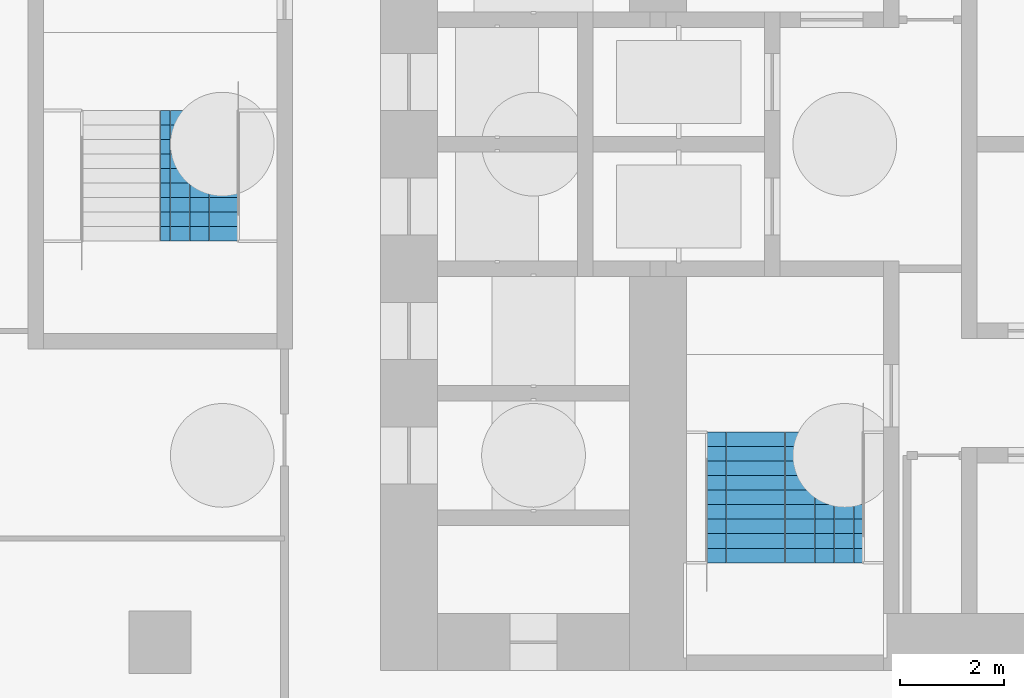
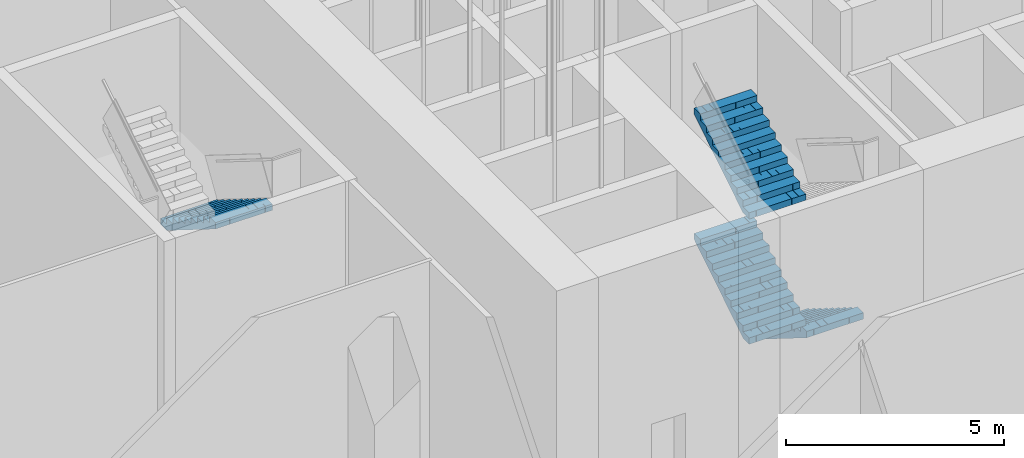
# One storey, part 22 of 68: 4 stair flights, 2 elements without a shape of their own.
"""IFC4 building model written with IfcOpenShell, lengths in metres."""

from ifc_helpers import new_model, si_unit, direction, frame, origin, place, context, subcontext, project, spatial, polyline, outline, extrude, material, type_object, element, aggregate, save


model = new_model("IFC4")

# Units and contexts
model_context = context("Model", 3, precision=1e-05, world=origin(), true_north=direction((0.0, 1.0)))
body_context = subcontext(model_context, "Body", "Model", "MODEL_VIEW")
ifc_project = project(units=[si_unit("LENGTHUNIT", "METRE"), si_unit("AREAUNIT", "SQUARE_METRE"), si_unit("VOLUMEUNIT", "CUBIC_METRE"), si_unit("PLANEANGLEUNIT", "RADIAN"), si_unit("MASSUNIT", "GRAM", prefix="KILO")], contexts=[model_context])

# Site, building, storey
site_placement = place(None, origin())
site = spatial("IfcSite", under=ifc_project, at=site_placement, CompositionType="ELEMENT")
building_placement = place(site_placement, origin())
building = spatial("IfcBuilding", under=site, at=building_placement, Name="Kolab Exchange Tower", CompositionType="ELEMENT")
storey_placement = place(building_placement, origin())
storey = spatial("IfcBuildingStorey", under=building, at=storey_placement, Name="L00", CompositionType="ELEMENT", Elevation=0.0)

# Stair, stair flights
ifc_material = material(Name="Concrete C50/60", Category="concrete")
stair_type_1 = type_object("IfcStairType", Name="STAIR ST3 RISER 175", PredefinedType="DOUBLE_RETURN_STAIR", material=ifc_material)
stair_1_placement = place(storey_placement, origin())
stair_1 = element("IfcStair", 1, at=stair_1_placement, inside=storey, type_object=stair_type_1, Name="Stair 3", PredefinedType="DOUBLE_RETURN_STAIR")
stair_flight_type = type_object("IfcStairFlightType", Name="STAIR FLIGHT 1500 RISER 175", PredefinedType="STRAIGHT", material=ifc_material)
stair_flight_1_placement = place(storey_placement, frame((-6.389892578125, -5.550048828125, 0.0), z_axis=(0.0, 0.0, 1.0), x_axis=(0.0, -1.0, 0.0)))
stair_flight_1 = element("IfcStairFlight", 2, at=stair_flight_1_placement, type_object=stair_flight_type, Name="ST3 flight 1", NumberOfRisers=10, NumberOfTreads=9, PredefinedType="STRAIGHT", RiserHeight=0.175, TreadLength=0.28, context=body_context, shape_type="SweptSolid", body=[
    extrude(outline(polyline([(0.0, 0.0), (0.0, 0.175048828125), (0.280029296875, 0.175048828125), (0.280029296875, 0.35009765625), (0.56005859375, 0.35009765625), (0.56005859375, 0.52490234375), (0.840087890625, 0.52490234375), (0.840087890625, 0.699951171875), (1.1201171875, 0.699951171875), (1.1201171875, 0.875), (1.39990234375, 0.875), (1.39990234375, 1.050048828125), (1.679931640625, 1.050048828125), (1.679931640625, 1.22509765625), (1.9599609375, 1.22509765625), (1.9599609375, 1.39990234375), (2.239990234375, 1.39990234375), (2.239990234375, 1.574951171875), (2.52001953125, 1.574951171875), (2.52001953125, 1.75), (2.52001953125, 1.398193359375), (0.28271484375, 0.0), (0.0, 0.0)])), frame((0.0, 0.75, 0.0), z_axis=(0.0, -1.0, 0.0), x_axis=(1.0, 0.0, 0.0)), (0.0, 0.0, 1.0), 0.185791015625),
    extrude(outline(polyline([(0.0, 0.0), (0.0, 0.175048828125), (0.280029296875, 0.175048828125), (0.280029296875, 0.35009765625), (0.56005859375, 0.35009765625), (0.56005859375, 0.52490234375), (0.840087890625, 0.52490234375), (0.840087890625, 0.699951171875), (1.1201171875, 0.699951171875), (1.1201171875, 0.875), (1.39990234375, 0.875), (1.39990234375, 1.050048828125), (1.679931640625, 1.050048828125), (1.679931640625, 1.22509765625), (1.9599609375, 1.22509765625), (1.9599609375, 1.39990234375), (2.239990234375, 1.39990234375), (2.239990234375, 1.574951171875), (2.52001953125, 1.574951171875), (2.52001953125, 1.75), (2.52001953125, 1.398193359375), (0.28271484375, 0.0), (0.0, 0.0)])), frame((0.0, 0.562255859375, 0.0), z_axis=(0.0, -1.0, 0.0), x_axis=(1.0, 0.0, 0.0)), (0.0, 0.0, 1.0), 0.185791015625),
    extrude(outline(polyline([(0.0, 0.0), (0.0, 0.175048828125), (0.280029296875, 0.175048828125), (0.280029296875, 0.35009765625), (0.56005859375, 0.35009765625), (0.56005859375, 0.52490234375), (0.840087890625, 0.52490234375), (0.840087890625, 0.699951171875), (1.1201171875, 0.699951171875), (1.1201171875, 0.875), (1.39990234375, 0.875), (1.39990234375, 1.050048828125), (1.679931640625, 1.050048828125), (1.679931640625, 1.22509765625), (1.9599609375, 1.22509765625), (1.9599609375, 1.39990234375), (2.239990234375, 1.39990234375), (2.239990234375, 1.574951171875), (2.52001953125, 1.574951171875), (2.52001953125, 1.75), (2.52001953125, 1.398193359375), (0.28271484375, 0.0), (0.0, 0.0)])), frame((0.0, 0.37451171875, 0.0), z_axis=(0.0, -1.0, 0.0), x_axis=(1.0, 0.0, 0.0)), (0.0, 0.0, 1.0), 0.185791015625),
    extrude(outline(polyline([(0.0, 0.0), (0.0, 0.175048828125), (0.280029296875, 0.175048828125), (0.280029296875, 0.35009765625), (0.56005859375, 0.35009765625), (0.56005859375, 0.52490234375), (0.840087890625, 0.52490234375), (0.840087890625, 0.699951171875), (1.1201171875, 0.699951171875), (1.1201171875, 0.875), (1.39990234375, 0.875), (1.39990234375, 1.050048828125), (1.679931640625, 1.050048828125), (1.679931640625, 1.22509765625), (1.9599609375, 1.22509765625), (1.9599609375, 1.39990234375), (2.239990234375, 1.39990234375), (2.239990234375, 1.574951171875), (2.52001953125, 1.574951171875), (2.52001953125, 1.75), (2.52001953125, 1.398193359375), (0.28271484375, 0.0), (0.0, 0.0)])), frame((0.0, 0.186767578125, 0.0), z_axis=(0.0, -1.0, 0.0), x_axis=(1.0, 0.0, 0.0)), (0.0, 0.0, 1.0), 0.185791015625),
    extrude(outline(polyline([(0.0, 0.0), (0.0, 0.175048828125), (0.280029296875, 0.175048828125), (0.280029296875, 0.35009765625), (0.56005859375, 0.35009765625), (0.56005859375, 0.52490234375), (0.840087890625, 0.52490234375), (0.840087890625, 0.699951171875), (1.1201171875, 0.699951171875), (1.1201171875, 0.875), (1.39990234375, 0.875), (1.39990234375, 1.050048828125), (1.679931640625, 1.050048828125), (1.679931640625, 1.22509765625), (1.9599609375, 1.22509765625), (1.9599609375, 1.39990234375), (2.239990234375, 1.39990234375), (2.239990234375, 1.574951171875), (2.52001953125, 1.574951171875), (2.52001953125, 1.75), (2.52001953125, 1.398193359375), (0.28271484375, 0.0), (0.0, 0.0)])), frame((0.0, -0.0009765625, 0.0), z_axis=(0.0, -1.0, 0.0), x_axis=(1.0, 0.0, 0.0)), (0.0, 0.0, 1.0), 0.185791015625),
    extrude(outline(polyline([(0.0, 0.0), (0.0, 0.175048828125), (0.280029296875, 0.175048828125), (0.280029296875, 0.35009765625), (0.56005859375, 0.35009765625), (0.56005859375, 0.52490234375), (0.840087890625, 0.52490234375), (0.840087890625, 0.699951171875), (1.1201171875, 0.699951171875), (1.1201171875, 0.875), (1.39990234375, 0.875), (1.39990234375, 1.050048828125), (1.679931640625, 1.050048828125), (1.679931640625, 1.22509765625), (1.9599609375, 1.22509765625), (1.9599609375, 1.39990234375), (2.239990234375, 1.39990234375), (2.239990234375, 1.574951171875), (2.52001953125, 1.574951171875), (2.52001953125, 1.75), (2.52001953125, 1.398193359375), (0.28271484375, 0.0), (0.0, 0.0)])), frame((0.0, -0.188720703125, 0.0), z_axis=(0.0, -1.0, 0.0), x_axis=(1.0, 0.0, 0.0)), (0.0, 0.0, 1.0), 0.185791015625),
    extrude(outline(polyline([(0.0, 0.0), (0.0, 0.175048828125), (0.280029296875, 0.175048828125), (0.280029296875, 0.35009765625), (0.56005859375, 0.35009765625), (0.56005859375, 0.52490234375), (0.840087890625, 0.52490234375), (0.840087890625, 0.699951171875), (1.1201171875, 0.699951171875), (1.1201171875, 0.875), (1.39990234375, 0.875), (1.39990234375, 1.050048828125), (1.679931640625, 1.050048828125), (1.679931640625, 1.22509765625), (1.9599609375, 1.22509765625), (1.9599609375, 1.39990234375), (2.239990234375, 1.39990234375), (2.239990234375, 1.574951171875), (2.52001953125, 1.574951171875), (2.52001953125, 1.75), (2.52001953125, 1.398193359375), (0.28271484375, 0.0), (0.0, 0.0)])), frame((0.0, -0.37646484375, 0.0), z_axis=(0.0, -1.0, 0.0), x_axis=(1.0, 0.0, 0.0)), (0.0, 0.0, 1.0), 0.185791015625),
    extrude(outline(polyline([(0.0, 0.0), (0.0, 0.175048828125), (0.280029296875, 0.175048828125), (0.280029296875, 0.35009765625), (0.56005859375, 0.35009765625), (0.56005859375, 0.52490234375), (0.840087890625, 0.52490234375), (0.840087890625, 0.699951171875), (1.1201171875, 0.699951171875), (1.1201171875, 0.875), (1.39990234375, 0.875), (1.39990234375, 1.050048828125), (1.679931640625, 1.050048828125), (1.679931640625, 1.22509765625), (1.9599609375, 1.22509765625), (1.9599609375, 1.39990234375), (2.239990234375, 1.39990234375), (2.239990234375, 1.574951171875), (2.52001953125, 1.574951171875), (2.52001953125, 1.75), (2.52001953125, 1.398193359375), (0.28271484375, 0.0), (0.0, 0.0)])), frame((0.0, -0.564208984375, 0.0), z_axis=(0.0, -1.0, 0.0), x_axis=(1.0, 0.0, 0.0)), (0.0, 0.0, 1.0), 0.185791015625),
])
stair_flight_2_placement = place(storey_placement, frame((-7.909912109375, -8.070068359375, 1.75), z_axis=(0.0, 0.0, 1.0), x_axis=(0.0, 1.0, 0.0)))
stair_flight_2 = element("IfcStairFlight", 3, at=stair_flight_2_placement, type_object=stair_flight_type, Name="ST3 flight 2", NumberOfRisers=10, NumberOfTreads=9, PredefinedType="STRAIGHT", RiserHeight=0.175, TreadLength=0.28, context=body_context, shape_type="SweptSolid", body=[
    extrude(outline(polyline([(0.0, 0.0), (0.0, 0.175048828125), (0.280029296875, 0.175048828125), (0.280029296875, 0.35009765625), (0.56005859375, 0.35009765625), (0.56005859375, 0.52490234375), (0.840087890625, 0.52490234375), (0.840087890625, 0.699951171875), (1.1201171875, 0.699951171875), (1.1201171875, 0.875), (1.39990234375, 0.875), (1.39990234375, 1.050048828125), (1.679931640625, 1.050048828125), (1.679931640625, 1.22509765625), (1.9599609375, 1.22509765625), (1.9599609375, 1.39990234375), (2.239990234375, 1.39990234375), (2.239990234375, 1.574951171875), (2.52001953125, 1.574951171875), (2.52001953125, 1.75), (2.52001953125, 1.398193359375), (0.28271484375, 0.0), (0.0, 0.0)])), frame((0.0, 0.75, 0.0), z_axis=(0.0, -1.0, 0.0), x_axis=(1.0, 0.0, 0.0)), (0.0, 0.0, 1.0), 0.185791015625),
    extrude(outline(polyline([(0.0, 0.0), (0.0, 0.175048828125), (0.280029296875, 0.175048828125), (0.280029296875, 0.35009765625), (0.56005859375, 0.35009765625), (0.56005859375, 0.52490234375), (0.840087890625, 0.52490234375), (0.840087890625, 0.699951171875), (1.1201171875, 0.699951171875), (1.1201171875, 0.875), (1.39990234375, 0.875), (1.39990234375, 1.050048828125), (1.679931640625, 1.050048828125), (1.679931640625, 1.22509765625), (1.9599609375, 1.22509765625), (1.9599609375, 1.39990234375), (2.239990234375, 1.39990234375), (2.239990234375, 1.574951171875), (2.52001953125, 1.574951171875), (2.52001953125, 1.75), (2.52001953125, 1.398193359375), (0.28271484375, 0.0), (0.0, 0.0)])), frame((0.0, 0.562255859375, 0.0), z_axis=(0.0, -1.0, 0.0), x_axis=(1.0, 0.0, 0.0)), (0.0, 0.0, 1.0), 0.185791015625),
    extrude(outline(polyline([(0.0, 0.0), (0.0, 0.175048828125), (0.280029296875, 0.175048828125), (0.280029296875, 0.35009765625), (0.56005859375, 0.35009765625), (0.56005859375, 0.52490234375), (0.840087890625, 0.52490234375), (0.840087890625, 0.699951171875), (1.1201171875, 0.699951171875), (1.1201171875, 0.875), (1.39990234375, 0.875), (1.39990234375, 1.050048828125), (1.679931640625, 1.050048828125), (1.679931640625, 1.22509765625), (1.9599609375, 1.22509765625), (1.9599609375, 1.39990234375), (2.239990234375, 1.39990234375), (2.239990234375, 1.574951171875), (2.52001953125, 1.574951171875), (2.52001953125, 1.75), (2.52001953125, 1.398193359375), (0.28271484375, 0.0), (0.0, 0.0)])), frame((0.0, 0.37451171875, 0.0), z_axis=(0.0, -1.0, 0.0), x_axis=(1.0, 0.0, 0.0)), (0.0, 0.0, 1.0), 0.185791015625),
    extrude(outline(polyline([(0.0, 0.0), (0.0, 0.175048828125), (0.280029296875, 0.175048828125), (0.280029296875, 0.35009765625), (0.56005859375, 0.35009765625), (0.56005859375, 0.52490234375), (0.840087890625, 0.52490234375), (0.840087890625, 0.699951171875), (1.1201171875, 0.699951171875), (1.1201171875, 0.875), (1.39990234375, 0.875), (1.39990234375, 1.050048828125), (1.679931640625, 1.050048828125), (1.679931640625, 1.22509765625), (1.9599609375, 1.22509765625), (1.9599609375, 1.39990234375), (2.239990234375, 1.39990234375), (2.239990234375, 1.574951171875), (2.52001953125, 1.574951171875), (2.52001953125, 1.75), (2.52001953125, 1.398193359375), (0.28271484375, 0.0), (0.0, 0.0)])), frame((0.0, 0.186767578125, 0.0), z_axis=(0.0, -1.0, 0.0), x_axis=(1.0, 0.0, 0.0)), (0.0, 0.0, 1.0), 0.185791015625),
    extrude(outline(polyline([(0.0, 0.0), (0.0, 0.175048828125), (0.280029296875, 0.175048828125), (0.280029296875, 0.35009765625), (0.56005859375, 0.35009765625), (0.56005859375, 0.52490234375), (0.840087890625, 0.52490234375), (0.840087890625, 0.699951171875), (1.1201171875, 0.699951171875), (1.1201171875, 0.875), (1.39990234375, 0.875), (1.39990234375, 1.050048828125), (1.679931640625, 1.050048828125), (1.679931640625, 1.22509765625), (1.9599609375, 1.22509765625), (1.9599609375, 1.39990234375), (2.239990234375, 1.39990234375), (2.239990234375, 1.574951171875), (2.52001953125, 1.574951171875), (2.52001953125, 1.75), (2.52001953125, 1.398193359375), (0.28271484375, 0.0), (0.0, 0.0)])), frame((0.0, -0.0009765625, 0.0), z_axis=(0.0, -1.0, 0.0), x_axis=(1.0, 0.0, 0.0)), (0.0, 0.0, 1.0), 0.185791015625),
    extrude(outline(polyline([(0.0, 0.0), (0.0, 0.175048828125), (0.280029296875, 0.175048828125), (0.280029296875, 0.35009765625), (0.56005859375, 0.35009765625), (0.56005859375, 0.52490234375), (0.840087890625, 0.52490234375), (0.840087890625, 0.699951171875), (1.1201171875, 0.699951171875), (1.1201171875, 0.875), (1.39990234375, 0.875), (1.39990234375, 1.050048828125), (1.679931640625, 1.050048828125), (1.679931640625, 1.22509765625), (1.9599609375, 1.22509765625), (1.9599609375, 1.39990234375), (2.239990234375, 1.39990234375), (2.239990234375, 1.574951171875), (2.52001953125, 1.574951171875), (2.52001953125, 1.75), (2.52001953125, 1.398193359375), (0.28271484375, 0.0), (0.0, 0.0)])), frame((0.0, -0.188720703125, 0.0), z_axis=(0.0, -1.0, 0.0), x_axis=(1.0, 0.0, 0.0)), (0.0, 0.0, 1.0), 0.185791015625),
    extrude(outline(polyline([(0.0, 0.0), (0.0, 0.175048828125), (0.280029296875, 0.175048828125), (0.280029296875, 0.35009765625), (0.56005859375, 0.35009765625), (0.56005859375, 0.52490234375), (0.840087890625, 0.52490234375), (0.840087890625, 0.699951171875), (1.1201171875, 0.699951171875), (1.1201171875, 0.875), (1.39990234375, 0.875), (1.39990234375, 1.050048828125), (1.679931640625, 1.050048828125), (1.679931640625, 1.22509765625), (1.9599609375, 1.22509765625), (1.9599609375, 1.39990234375), (2.239990234375, 1.39990234375), (2.239990234375, 1.574951171875), (2.52001953125, 1.574951171875), (2.52001953125, 1.75), (2.52001953125, 1.398193359375), (0.28271484375, 0.0), (0.0, 0.0)])), frame((0.0, -0.37646484375, 0.0), z_axis=(0.0, -1.0, 0.0), x_axis=(1.0, 0.0, 0.0)), (0.0, 0.0, 1.0), 0.185791015625),
    extrude(outline(polyline([(0.0, 0.0), (0.0, 0.175048828125), (0.280029296875, 0.175048828125), (0.280029296875, 0.35009765625), (0.56005859375, 0.35009765625), (0.56005859375, 0.52490234375), (0.840087890625, 0.52490234375), (0.840087890625, 0.699951171875), (1.1201171875, 0.699951171875), (1.1201171875, 0.875), (1.39990234375, 0.875), (1.39990234375, 1.050048828125), (1.679931640625, 1.050048828125), (1.679931640625, 1.22509765625), (1.9599609375, 1.22509765625), (1.9599609375, 1.39990234375), (2.239990234375, 1.39990234375), (2.239990234375, 1.574951171875), (2.52001953125, 1.574951171875), (2.52001953125, 1.75), (2.52001953125, 1.398193359375), (0.28271484375, 0.0), (0.0, 0.0)])), frame((0.0, -0.564208984375, 0.0), z_axis=(0.0, -1.0, 0.0), x_axis=(1.0, 0.0, 0.0)), (0.0, 0.0, 1.0), 0.185791015625),
])
stair_flight_3_placement = place(storey_placement, frame((-7.909912109375, -8.070068359375, 5.25), z_axis=(0.0, 0.0, 1.0), x_axis=(0.0, 1.0, 0.0)))
stair_flight_3 = element("IfcStairFlight", 4, at=stair_flight_3_placement, type_object=stair_flight_type, Name="ST3 flight 4", NumberOfRisers=10, NumberOfTreads=9, PredefinedType="STRAIGHT", RiserHeight=0.175, TreadLength=0.28, context=body_context, shape_type="SweptSolid", body=[
    extrude(outline(polyline([(0.0, 0.0), (0.0, 0.175048828125), (0.280029296875, 0.175048828125), (0.280029296875, 0.35009765625), (0.56005859375, 0.35009765625), (0.56005859375, 0.52490234375), (0.840087890625, 0.52490234375), (0.840087890625, 0.699951171875), (1.1201171875, 0.699951171875), (1.1201171875, 0.875), (1.39990234375, 0.875), (1.39990234375, 1.050048828125), (1.679931640625, 1.050048828125), (1.679931640625, 1.22509765625), (1.9599609375, 1.22509765625), (1.9599609375, 1.39990234375), (2.239990234375, 1.39990234375), (2.239990234375, 1.574951171875), (2.52001953125, 1.574951171875), (2.52001953125, 1.75), (2.52001953125, 1.398193359375), (0.28271484375, 0.0), (0.0, 0.0)])), frame((0.0, 0.75, 0.0), z_axis=(0.0, -1.0, 0.0), x_axis=(1.0, 0.0, 0.0)), (0.0, 0.0, 1.0), 0.185791015625),
    extrude(outline(polyline([(0.0, 0.0), (0.0, 0.175048828125), (0.280029296875, 0.175048828125), (0.280029296875, 0.35009765625), (0.56005859375, 0.35009765625), (0.56005859375, 0.52490234375), (0.840087890625, 0.52490234375), (0.840087890625, 0.699951171875), (1.1201171875, 0.699951171875), (1.1201171875, 0.875), (1.39990234375, 0.875), (1.39990234375, 1.050048828125), (1.679931640625, 1.050048828125), (1.679931640625, 1.22509765625), (1.9599609375, 1.22509765625), (1.9599609375, 1.39990234375), (2.239990234375, 1.39990234375), (2.239990234375, 1.574951171875), (2.52001953125, 1.574951171875), (2.52001953125, 1.75), (2.52001953125, 1.398193359375), (0.28271484375, 0.0), (0.0, 0.0)])), frame((0.0, 0.562255859375, 0.0), z_axis=(0.0, -1.0, 0.0), x_axis=(1.0, 0.0, 0.0)), (0.0, 0.0, 1.0), 0.185791015625),
    extrude(outline(polyline([(0.0, 0.0), (0.0, 0.175048828125), (0.280029296875, 0.175048828125), (0.280029296875, 0.35009765625), (0.56005859375, 0.35009765625), (0.56005859375, 0.52490234375), (0.840087890625, 0.52490234375), (0.840087890625, 0.699951171875), (1.1201171875, 0.699951171875), (1.1201171875, 0.875), (1.39990234375, 0.875), (1.39990234375, 1.050048828125), (1.679931640625, 1.050048828125), (1.679931640625, 1.22509765625), (1.9599609375, 1.22509765625), (1.9599609375, 1.39990234375), (2.239990234375, 1.39990234375), (2.239990234375, 1.574951171875), (2.52001953125, 1.574951171875), (2.52001953125, 1.75), (2.52001953125, 1.398193359375), (0.28271484375, 0.0), (0.0, 0.0)])), frame((0.0, 0.37451171875, 0.0), z_axis=(0.0, -1.0, 0.0), x_axis=(1.0, 0.0, 0.0)), (0.0, 0.0, 1.0), 0.185791015625),
    extrude(outline(polyline([(0.0, 0.0), (0.0, 0.175048828125), (0.280029296875, 0.175048828125), (0.280029296875, 0.35009765625), (0.56005859375, 0.35009765625), (0.56005859375, 0.52490234375), (0.840087890625, 0.52490234375), (0.840087890625, 0.699951171875), (1.1201171875, 0.699951171875), (1.1201171875, 0.875), (1.39990234375, 0.875), (1.39990234375, 1.050048828125), (1.679931640625, 1.050048828125), (1.679931640625, 1.22509765625), (1.9599609375, 1.22509765625), (1.9599609375, 1.39990234375), (2.239990234375, 1.39990234375), (2.239990234375, 1.574951171875), (2.52001953125, 1.574951171875), (2.52001953125, 1.75), (2.52001953125, 1.398193359375), (0.28271484375, 0.0), (0.0, 0.0)])), frame((0.0, 0.186767578125, 0.0), z_axis=(0.0, -1.0, 0.0), x_axis=(1.0, 0.0, 0.0)), (0.0, 0.0, 1.0), 0.185791015625),
    extrude(outline(polyline([(0.0, 0.0), (0.0, 0.175048828125), (0.280029296875, 0.175048828125), (0.280029296875, 0.35009765625), (0.56005859375, 0.35009765625), (0.56005859375, 0.52490234375), (0.840087890625, 0.52490234375), (0.840087890625, 0.699951171875), (1.1201171875, 0.699951171875), (1.1201171875, 0.875), (1.39990234375, 0.875), (1.39990234375, 1.050048828125), (1.679931640625, 1.050048828125), (1.679931640625, 1.22509765625), (1.9599609375, 1.22509765625), (1.9599609375, 1.39990234375), (2.239990234375, 1.39990234375), (2.239990234375, 1.574951171875), (2.52001953125, 1.574951171875), (2.52001953125, 1.75), (2.52001953125, 1.398193359375), (0.28271484375, 0.0), (0.0, 0.0)])), frame((0.0, -0.0009765625, 0.0), z_axis=(0.0, -1.0, 0.0), x_axis=(1.0, 0.0, 0.0)), (0.0, 0.0, 1.0), 0.185791015625),
    extrude(outline(polyline([(0.0, 0.0), (0.0, 0.175048828125), (0.280029296875, 0.175048828125), (0.280029296875, 0.35009765625), (0.56005859375, 0.35009765625), (0.56005859375, 0.52490234375), (0.840087890625, 0.52490234375), (0.840087890625, 0.699951171875), (1.1201171875, 0.699951171875), (1.1201171875, 0.875), (1.39990234375, 0.875), (1.39990234375, 1.050048828125), (1.679931640625, 1.050048828125), (1.679931640625, 1.22509765625), (1.9599609375, 1.22509765625), (1.9599609375, 1.39990234375), (2.239990234375, 1.39990234375), (2.239990234375, 1.574951171875), (2.52001953125, 1.574951171875), (2.52001953125, 1.75), (2.52001953125, 1.398193359375), (0.28271484375, 0.0), (0.0, 0.0)])), frame((0.0, -0.188720703125, 0.0), z_axis=(0.0, -1.0, 0.0), x_axis=(1.0, 0.0, 0.0)), (0.0, 0.0, 1.0), 0.185791015625),
    extrude(outline(polyline([(0.0, 0.0), (0.0, 0.175048828125), (0.280029296875, 0.175048828125), (0.280029296875, 0.35009765625), (0.56005859375, 0.35009765625), (0.56005859375, 0.52490234375), (0.840087890625, 0.52490234375), (0.840087890625, 0.699951171875), (1.1201171875, 0.699951171875), (1.1201171875, 0.875), (1.39990234375, 0.875), (1.39990234375, 1.050048828125), (1.679931640625, 1.050048828125), (1.679931640625, 1.22509765625), (1.9599609375, 1.22509765625), (1.9599609375, 1.39990234375), (2.239990234375, 1.39990234375), (2.239990234375, 1.574951171875), (2.52001953125, 1.574951171875), (2.52001953125, 1.75), (2.52001953125, 1.398193359375), (0.28271484375, 0.0), (0.0, 0.0)])), frame((0.0, -0.37646484375, 0.0), z_axis=(0.0, -1.0, 0.0), x_axis=(1.0, 0.0, 0.0)), (0.0, 0.0, 1.0), 0.185791015625),
    extrude(outline(polyline([(0.0, 0.0), (0.0, 0.175048828125), (0.280029296875, 0.175048828125), (0.280029296875, 0.35009765625), (0.56005859375, 0.35009765625), (0.56005859375, 0.52490234375), (0.840087890625, 0.52490234375), (0.840087890625, 0.699951171875), (1.1201171875, 0.699951171875), (1.1201171875, 0.875), (1.39990234375, 0.875), (1.39990234375, 1.050048828125), (1.679931640625, 1.050048828125), (1.679931640625, 1.22509765625), (1.9599609375, 1.22509765625), (1.9599609375, 1.39990234375), (2.239990234375, 1.39990234375), (2.239990234375, 1.574951171875), (2.52001953125, 1.574951171875), (2.52001953125, 1.75), (2.52001953125, 1.398193359375), (0.28271484375, 0.0), (0.0, 0.0)])), frame((0.0, -0.564208984375, 0.0), z_axis=(0.0, -1.0, 0.0), x_axis=(1.0, 0.0, 0.0)), (0.0, 0.0, 1.0), 0.185791015625),
])
aggregate(stair_1, [stair_flight_1, stair_flight_2, stair_flight_3])

# Stair, stair flight
stair_type_2 = type_object("IfcStairType", Name="STAIR ST5 RISER 175", PredefinedType="DOUBLE_RETURN_STAIR", material=ifc_material)
stair_2_placement = place(storey_placement, origin())
stair_2 = element("IfcStair", 5, at=stair_2_placement, inside=storey, type_object=stair_type_2, Name="Stair 5", PredefinedType="DOUBLE_RETURN_STAIR")
stair_flight_4_placement = place(storey_placement, frame((-18.43994140625, 0.64990234375, 3.5), z_axis=(0.0, 0.0, 1.0), x_axis=(0.0, -1.0, 0.0)))
stair_flight_4 = element("IfcStairFlight", 6, at=stair_flight_4_placement, type_object=stair_flight_type, Name="ST5 flight 3", NumberOfRisers=10, NumberOfTreads=9, PredefinedType="STRAIGHT", RiserHeight=0.175, TreadLength=0.28, context=body_context, shape_type="SweptSolid", body=[
    extrude(outline(polyline([(0.0, 0.0), (0.0, 0.175048828125), (0.280029296875, 0.175048828125), (0.280029296875, 0.35009765625), (0.56005859375, 0.35009765625), (0.56005859375, 0.52490234375), (0.840087890625, 0.52490234375), (0.840087890625, 0.699951171875), (1.1201171875, 0.699951171875), (1.1201171875, 0.875), (1.39990234375, 0.875), (1.39990234375, 1.050048828125), (1.679931640625, 1.050048828125), (1.679931640625, 1.22509765625), (1.9599609375, 1.22509765625), (1.9599609375, 1.39990234375), (2.239990234375, 1.39990234375), (2.239990234375, 1.574951171875), (2.52001953125, 1.574951171875), (2.52001953125, 1.75), (2.52001953125, 1.398193359375), (0.28271484375, 0.0), (0.0, 0.0)])), frame((0.0, 0.75, 0.0), z_axis=(0.0, -1.0, 0.0), x_axis=(1.0, 0.0, 0.0)), (0.0, 0.0, 1.0), 0.185791015625),
    extrude(outline(polyline([(0.0, 0.0), (0.0, 0.175048828125), (0.280029296875, 0.175048828125), (0.280029296875, 0.35009765625), (0.56005859375, 0.35009765625), (0.56005859375, 0.52490234375), (0.840087890625, 0.52490234375), (0.840087890625, 0.699951171875), (1.1201171875, 0.699951171875), (1.1201171875, 0.875), (1.39990234375, 0.875), (1.39990234375, 1.050048828125), (1.679931640625, 1.050048828125), (1.679931640625, 1.22509765625), (1.9599609375, 1.22509765625), (1.9599609375, 1.39990234375), (2.239990234375, 1.39990234375), (2.239990234375, 1.574951171875), (2.52001953125, 1.574951171875), (2.52001953125, 1.75), (2.52001953125, 1.398193359375), (0.28271484375, 0.0), (0.0, 0.0)])), frame((0.0, 0.562255859375, 0.0), z_axis=(0.0, -1.0, 0.0), x_axis=(1.0, 0.0, 0.0)), (0.0, 0.0, 1.0), 0.185791015625),
    extrude(outline(polyline([(0.0, 0.0), (0.0, 0.175048828125), (0.280029296875, 0.175048828125), (0.280029296875, 0.35009765625), (0.56005859375, 0.35009765625), (0.56005859375, 0.52490234375), (0.840087890625, 0.52490234375), (0.840087890625, 0.699951171875), (1.1201171875, 0.699951171875), (1.1201171875, 0.875), (1.39990234375, 0.875), (1.39990234375, 1.050048828125), (1.679931640625, 1.050048828125), (1.679931640625, 1.22509765625), (1.9599609375, 1.22509765625), (1.9599609375, 1.39990234375), (2.239990234375, 1.39990234375), (2.239990234375, 1.574951171875), (2.52001953125, 1.574951171875), (2.52001953125, 1.75), (2.52001953125, 1.398193359375), (0.28271484375, 0.0), (0.0, 0.0)])), frame((0.0, 0.37451171875, 0.0), z_axis=(0.0, -1.0, 0.0), x_axis=(1.0, 0.0, 0.0)), (0.0, 0.0, 1.0), 0.185791015625),
    extrude(outline(polyline([(0.0, 0.0), (0.0, 0.175048828125), (0.280029296875, 0.175048828125), (0.280029296875, 0.35009765625), (0.56005859375, 0.35009765625), (0.56005859375, 0.52490234375), (0.840087890625, 0.52490234375), (0.840087890625, 0.699951171875), (1.1201171875, 0.699951171875), (1.1201171875, 0.875), (1.39990234375, 0.875), (1.39990234375, 1.050048828125), (1.679931640625, 1.050048828125), (1.679931640625, 1.22509765625), (1.9599609375, 1.22509765625), (1.9599609375, 1.39990234375), (2.239990234375, 1.39990234375), (2.239990234375, 1.574951171875), (2.52001953125, 1.574951171875), (2.52001953125, 1.75), (2.52001953125, 1.398193359375), (0.28271484375, 0.0), (0.0, 0.0)])), frame((0.0, 0.186767578125, 0.0), z_axis=(0.0, -1.0, 0.0), x_axis=(1.0, 0.0, 0.0)), (0.0, 0.0, 1.0), 0.185791015625),
    extrude(outline(polyline([(0.0, 0.0), (0.0, 0.175048828125), (0.280029296875, 0.175048828125), (0.280029296875, 0.35009765625), (0.56005859375, 0.35009765625), (0.56005859375, 0.52490234375), (0.840087890625, 0.52490234375), (0.840087890625, 0.699951171875), (1.1201171875, 0.699951171875), (1.1201171875, 0.875), (1.39990234375, 0.875), (1.39990234375, 1.050048828125), (1.679931640625, 1.050048828125), (1.679931640625, 1.22509765625), (1.9599609375, 1.22509765625), (1.9599609375, 1.39990234375), (2.239990234375, 1.39990234375), (2.239990234375, 1.574951171875), (2.52001953125, 1.574951171875), (2.52001953125, 1.75), (2.52001953125, 1.398193359375), (0.28271484375, 0.0), (0.0, 0.0)])), frame((0.0, -0.0009765625, 0.0), z_axis=(0.0, -1.0, 0.0), x_axis=(1.0, 0.0, 0.0)), (0.0, 0.0, 1.0), 0.185791015625),
    extrude(outline(polyline([(0.0, 0.0), (0.0, 0.175048828125), (0.280029296875, 0.175048828125), (0.280029296875, 0.35009765625), (0.56005859375, 0.35009765625), (0.56005859375, 0.52490234375), (0.840087890625, 0.52490234375), (0.840087890625, 0.699951171875), (1.1201171875, 0.699951171875), (1.1201171875, 0.875), (1.39990234375, 0.875), (1.39990234375, 1.050048828125), (1.679931640625, 1.050048828125), (1.679931640625, 1.22509765625), (1.9599609375, 1.22509765625), (1.9599609375, 1.39990234375), (2.239990234375, 1.39990234375), (2.239990234375, 1.574951171875), (2.52001953125, 1.574951171875), (2.52001953125, 1.75), (2.52001953125, 1.398193359375), (0.28271484375, 0.0), (0.0, 0.0)])), frame((0.0, -0.188720703125, 0.0), z_axis=(0.0, -1.0, 0.0), x_axis=(1.0, 0.0, 0.0)), (0.0, 0.0, 1.0), 0.185791015625),
    extrude(outline(polyline([(0.0, 0.0), (0.0, 0.175048828125), (0.280029296875, 0.175048828125), (0.280029296875, 0.35009765625), (0.56005859375, 0.35009765625), (0.56005859375, 0.52490234375), (0.840087890625, 0.52490234375), (0.840087890625, 0.699951171875), (1.1201171875, 0.699951171875), (1.1201171875, 0.875), (1.39990234375, 0.875), (1.39990234375, 1.050048828125), (1.679931640625, 1.050048828125), (1.679931640625, 1.22509765625), (1.9599609375, 1.22509765625), (1.9599609375, 1.39990234375), (2.239990234375, 1.39990234375), (2.239990234375, 1.574951171875), (2.52001953125, 1.574951171875), (2.52001953125, 1.75), (2.52001953125, 1.398193359375), (0.28271484375, 0.0), (0.0, 0.0)])), frame((0.0, -0.37646484375, 0.0), z_axis=(0.0, -1.0, 0.0), x_axis=(1.0, 0.0, 0.0)), (0.0, 0.0, 1.0), 0.185791015625),
    extrude(outline(polyline([(0.0, 0.0), (0.0, 0.175048828125), (0.280029296875, 0.175048828125), (0.280029296875, 0.35009765625), (0.56005859375, 0.35009765625), (0.56005859375, 0.52490234375), (0.840087890625, 0.52490234375), (0.840087890625, 0.699951171875), (1.1201171875, 0.699951171875), (1.1201171875, 0.875), (1.39990234375, 0.875), (1.39990234375, 1.050048828125), (1.679931640625, 1.050048828125), (1.679931640625, 1.22509765625), (1.9599609375, 1.22509765625), (1.9599609375, 1.39990234375), (2.239990234375, 1.39990234375), (2.239990234375, 1.574951171875), (2.52001953125, 1.574951171875), (2.52001953125, 1.75), (2.52001953125, 1.398193359375), (0.28271484375, 0.0), (0.0, 0.0)])), frame((0.0, -0.564208984375, 0.0), z_axis=(0.0, -1.0, 0.0), x_axis=(1.0, 0.0, 0.0)), (0.0, 0.0, 1.0), 0.185791015625),
])
aggregate(stair_2, [stair_flight_4])

save(model, "model.ifc")
